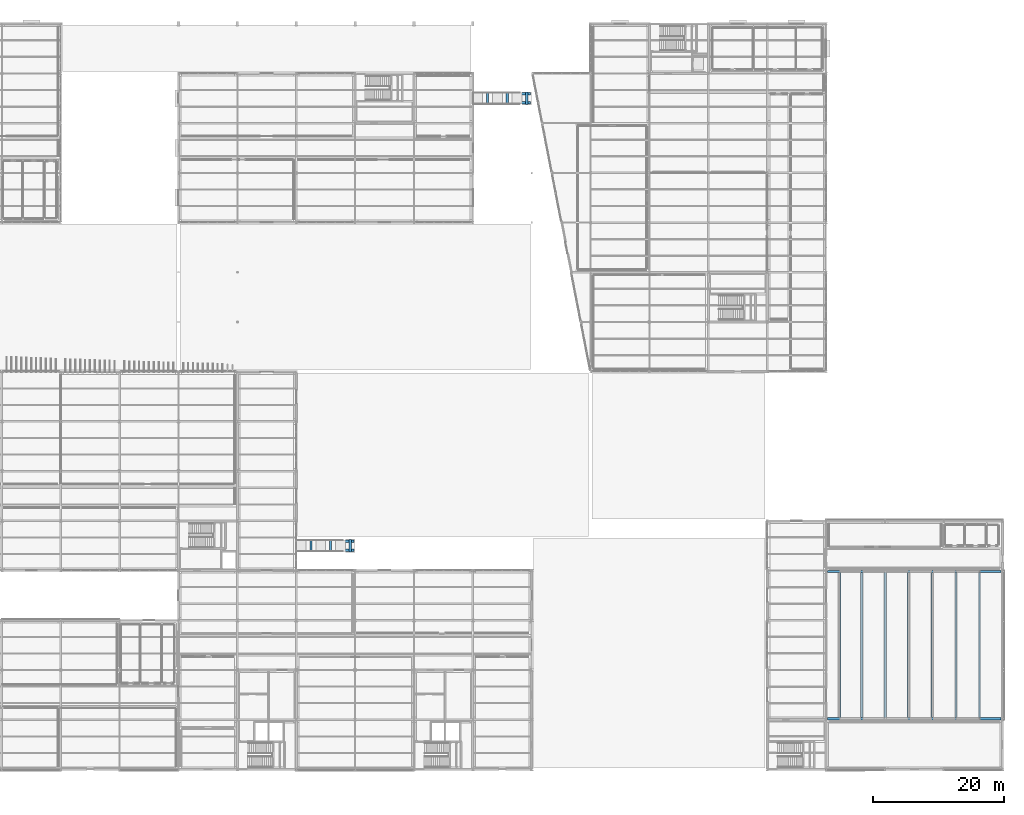
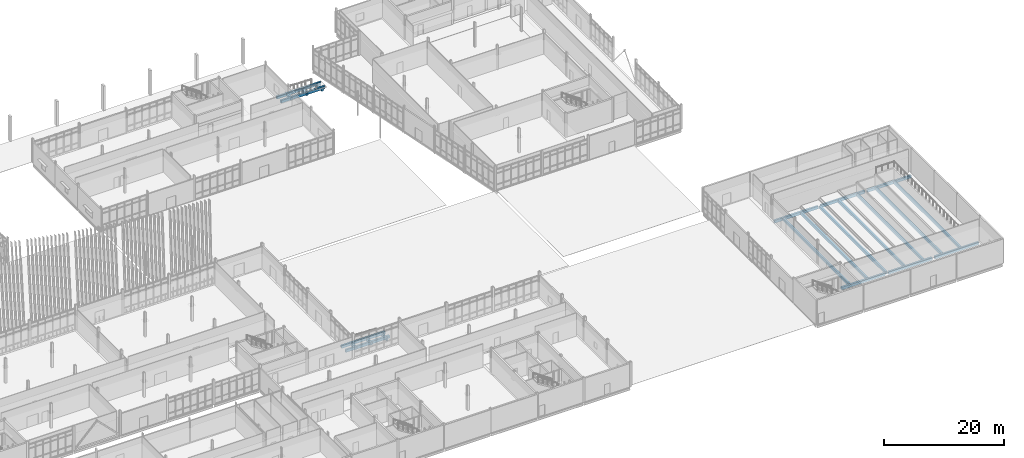
# One storey, part 1 of 161: 23 footings.
"""IFC4 building model written with IfcOpenShell, lengths in metres."""

from ifc_helpers import new_model, si_unit, direction, frame, origin, origin_2d, place, context, subcontext, project, spatial, rectangle, extrude, material, type_object, element, save


model = new_model("IFC4")

# Units and contexts
model_context = context("Model", 3, precision=1e-05, world=origin(), true_north=direction((0.0, 1.0)))
body_context = subcontext(model_context, "Body", "Model", "MODEL_VIEW")
ifc_project = project(units=[si_unit("LENGTHUNIT", "METRE"), si_unit("AREAUNIT", "SQUARE_METRE"), si_unit("VOLUMEUNIT", "CUBIC_METRE"), si_unit("PLANEANGLEUNIT", "RADIAN"), si_unit("MASSUNIT", "GRAM", prefix="KILO")], contexts=[model_context])

# Site, building, storey
site_placement = place(None, origin())
site = spatial("IfcSite", under=ifc_project, at=site_placement, CompositionType="ELEMENT")
building_placement = place(site_placement, origin())
building = spatial("IfcBuilding", under=site, at=building_placement, Name="Caisbarro Railhouse Central Library", CompositionType="ELEMENT")
storey_placement = place(building_placement, origin())
storey = spatial("IfcBuildingStorey", under=building, at=storey_placement, Name="L00", CompositionType="ELEMENT", Elevation=0.0)

# Footings
ifc_material = material(Name="Concrete C35", Category="concrete")
footing_type = type_object("IfcFootingType", Name="FTG-STF1", PredefinedType="STRIP_FOOTING", material=ifc_material)
for number, where, z_axis, x_axis, name in (
    (1, (157.5, 7.75, -0.7998046875), (0.0, 0.0, 1.0), (1.0, 0.0, 0.0), "Auditorium Tier Cheek Strip Footing 1 S"),
    (2, (166.5, 7.75, -0.7998046875), (0.0, 0.0, 1.0), (1.0, 0.0, 0.0), "Auditorium Tier Cheek Strip Footing 2 S"),
    (3, (175.5, 7.75, -0.7998046875), (0.0, 0.0, 1.0), (1.0, 0.0, 0.0), "Auditorium Tier Cheek Strip Footing 3 S"),
    (4, (157.5, 30.25, -0.7998046875), (0.0, 0.0, 1.0), (1.0, 0.0, 0.0), "Auditorium Tier Cheek Strip Footing 1 N"),
    (5, (166.5, 30.25, -0.7998046875), (0.0, 0.0, 1.0), (1.0, 0.0, 0.0), "Auditorium Tier Cheek Strip Footing 2 N"),
    (6, (175.5, 30.25, -0.7998046875), (0.0, 0.0, 1.0), (1.0, 0.0, 0.0), "Auditorium Tier Cheek Strip Footing 3 N"),
):
    element("IfcFooting", number, at=place(storey_placement, frame(where, z_axis=z_axis, x_axis=x_axis)), inside=storey, type_object=footing_type, Name=name, PredefinedType="STRIP_FOOTING", context=body_context, shape_type="SweptSolid", body=[
        extrude(rectangle(XDim=8.49609375, YDim=0.35009765625, at=origin_2d()), origin(), (0.0, 0.0, 1.0), 0.550048828125),
    ])
for number, where, z_axis, x_axis, name in (
    (7, (155.0, 19.0, -0.7998046875), (0.0, 0.0, 1.0), (0.0, 1.0, 0.0), "Auditorium Tier Starter Strip Footing"),
    (8, (158.449951171875, 19.0, -0.7998046875), (0.0, 0.0, 1.0), (0.0, 1.0, 0.0), "Auditorium Tier Strip Footing 1"),
    (9, (162.050048828125, 19.0, -0.7998046875), (0.0, 0.0, 1.0), (0.0, 1.0, 0.0), "Auditorium Tier Strip Footing 2"),
    (10, (165.64990234375, 19.0, -0.7998046875), (0.0, 0.0, 1.0), (0.0, 1.0, 0.0), "Auditorium Tier Strip Footing 3"),
    (11, (169.25, 19.0, -0.7998046875), (0.0, 0.0, 1.0), (0.0, 1.0, 0.0), "Auditorium Tier Strip Footing 4"),
    (12, (172.85009765625, 19.0, -0.7998046875), (0.0, 0.0, 1.0), (0.0, 1.0, 0.0), "Auditorium Tier Strip Footing 5"),
    (13, (176.449951171875, 19.0, -0.7998046875), (0.0, 0.0, 1.0), (0.0, 1.0, 0.0), "Auditorium Tier Strip Footing 6"),
):
    element("IfcFooting", number, at=place(storey_placement, frame(where, z_axis=z_axis, x_axis=x_axis)), inside=storey, type_object=footing_type, Name=name, PredefinedType="STRIP_FOOTING", context=body_context, shape_type="SweptSolid", body=[
        extrude(rectangle(XDim=22.139892578125, YDim=0.35009765625, at=origin_2d()), origin(), (0.0, 0.0, 1.0), 0.550048828125),
    ])
for number, where, z_axis, x_axis, name in (
    (14, (76.550048828125, 33.5, -0.85498046875), (0.0, 0.0, 1.0), (1.0, 0.0, 0.0), "Ramp 1 Cheek Strip Footing S"),
    (15, (76.550048828125, 34.89990234375, -0.85498046875), (0.0, 0.0, 1.0), (1.0, 0.0, 0.0), "Ramp 1 Cheek Strip Footing N"),
):
    element("IfcFooting", number, at=place(storey_placement, frame(where, z_axis=z_axis, x_axis=x_axis)), inside=storey, type_object=footing_type, Name=name, PredefinedType="STRIP_FOOTING", context=body_context, shape_type="SweptSolid", body=[
        extrude(rectangle(XDim=8.5, YDim=0.35009765625, at=origin_2d()), origin(), (0.0, 0.0, 1.0), 0.550048828125),
    ])
for number, where, z_axis, x_axis, name in (
    (16, (74.25, 34.199951171875, -0.85986328125), (0.0, 0.0, 1.0), (1.0, 0.0, 0.0), "Ramp 1 Cross Strip Footing 1"),
    (17, (77.25, 34.199951171875, -0.97998046875), (0.0, 0.0, 1.0), (1.0, 0.0, 0.0), "Ramp 1 Cross Strip Footing 2"),
    (18, (80.25, 34.199951171875, -1.14013671875), (0.0, 0.0, 1.0), (1.0, 0.0, 0.0), "Ramp 1 Cross Strip Footing 3"),
):
    element("IfcFooting", number, at=place(storey_placement, frame(where, z_axis=z_axis, x_axis=x_axis)), inside=storey, type_object=footing_type, Name=name, PredefinedType="STRIP_FOOTING", context=body_context, shape_type="SweptSolid", body=[
        extrude(rectangle(XDim=0.35009765625, YDim=1.85009765625, at=origin_2d()), origin(), (0.0, 0.0, 1.0), 0.550048828125),
    ])
for number, where, z_axis, x_axis, name in (
    (19, (103.550048828125, 101.89990234375, -0.85498046875), (0.0, 0.0, 1.0), (1.0, 0.0, 0.0), "Ramp 2 Cheek Strip Footing S"),
    (20, (103.550048828125, 103.300048828125, -0.85498046875), (0.0, 0.0, 1.0), (1.0, 0.0, 0.0), "Ramp 2 Cheek Strip Footing N"),
):
    element("IfcFooting", number, at=place(storey_placement, frame(where, z_axis=z_axis, x_axis=x_axis)), inside=storey, type_object=footing_type, Name=name, PredefinedType="STRIP_FOOTING", context=body_context, shape_type="SweptSolid", body=[
        extrude(rectangle(XDim=8.5, YDim=0.35009765625, at=origin_2d()), origin(), (0.0, 0.0, 1.0), 0.550048828125),
    ])
for number, where, z_axis, x_axis, name in (
    (21, (101.25, 102.60009765625, -0.85986328125), (0.0, 0.0, 1.0), (1.0, 0.0, 0.0), "Ramp 2 Cross Strip Footing 1"),
    (22, (104.25, 102.60009765625, -0.97998046875), (0.0, 0.0, 1.0), (1.0, 0.0, 0.0), "Ramp 2 Cross Strip Footing 2"),
    (23, (107.25, 102.60009765625, -1.14013671875), (0.0, 0.0, 1.0), (1.0, 0.0, 0.0), "Ramp 2 Cross Strip Footing 3"),
):
    element("IfcFooting", number, at=place(storey_placement, frame(where, z_axis=z_axis, x_axis=x_axis)), inside=storey, type_object=footing_type, Name=name, PredefinedType="STRIP_FOOTING", context=body_context, shape_type="SweptSolid", body=[
        extrude(rectangle(XDim=0.35009765625, YDim=1.85009765625, at=origin_2d()), origin(), (0.0, 0.0, 1.0), 0.550048828125),
    ])

save(model, "model.ifc")
